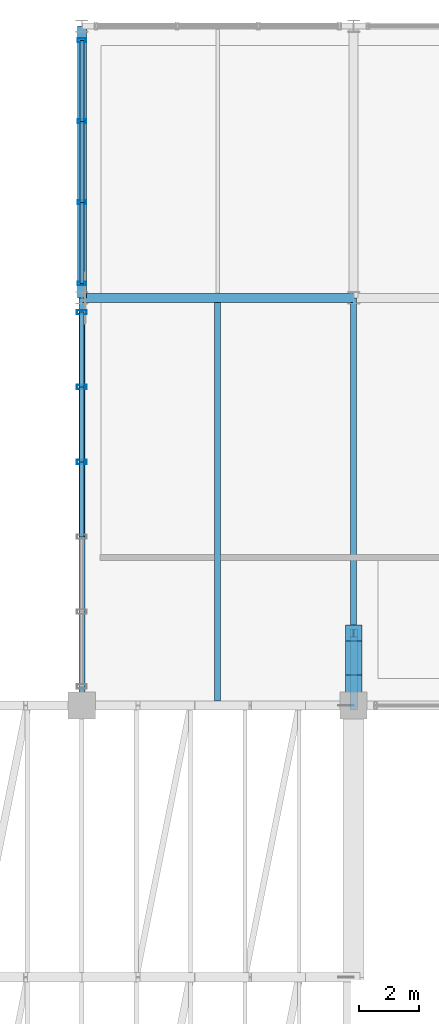
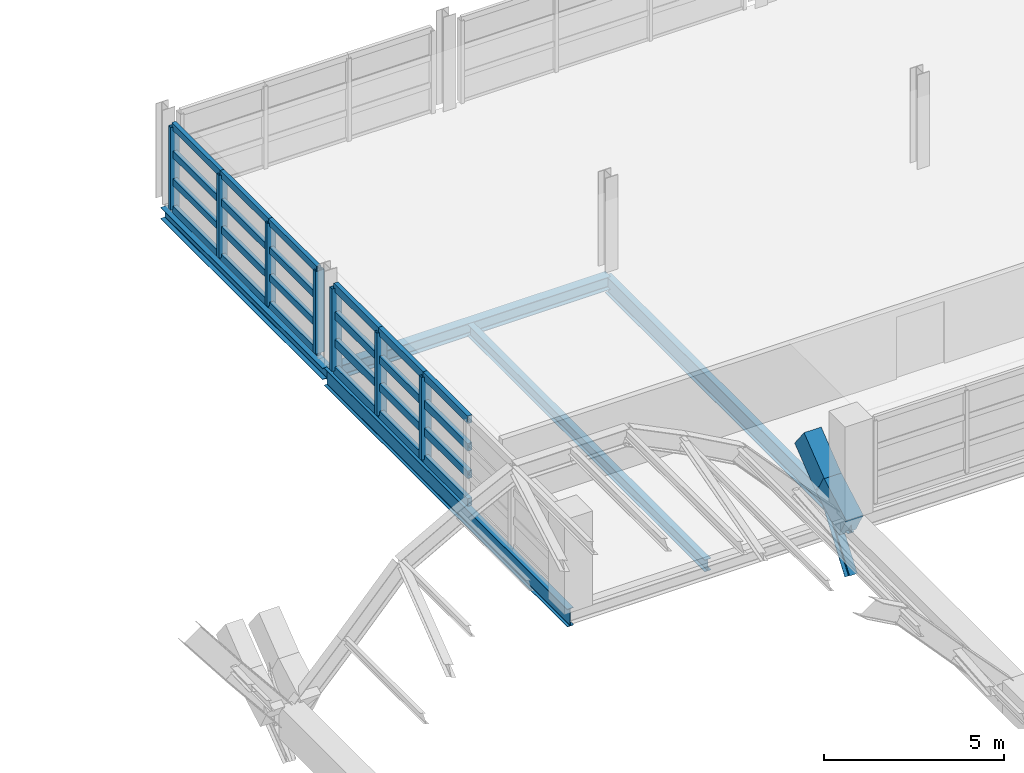
# One storey, part 29 of 86: 32 members, 7 beams, 2 elements without a shape of their own.
"""IFC4 building model written with IfcOpenShell, lengths in metres."""

from ifc_helpers import new_model, si_unit, direction, frame, origin, origin_2d, place, context, subcontext, project, spatial, rectangle, hollow_rectangle, i_section, extrude, material, material_profile, profile_set, type_object, element, aggregate, save


model = new_model("IFC4")

# Units and contexts
model_context = context("Model", 3, precision=1e-05, world=origin(), true_north=direction((0.0, 1.0)))
body_context = subcontext(model_context, "Body", "Model", "MODEL_VIEW")
ifc_project = project(units=[si_unit("LENGTHUNIT", "METRE"), si_unit("AREAUNIT", "SQUARE_METRE"), si_unit("VOLUMEUNIT", "CUBIC_METRE"), si_unit("PLANEANGLEUNIT", "RADIAN"), si_unit("MASSUNIT", "GRAM", prefix="KILO")], contexts=[model_context])

# Site, building, storey
site_placement = place(None, origin())
site = spatial("IfcSite", under=ifc_project, at=site_placement, CompositionType="ELEMENT")
building_placement = place(site_placement, origin())
building = spatial("IfcBuilding", under=site, at=building_placement, Name="Chuanluo Vaults Station", CompositionType="ELEMENT")
storey_placement = place(building_placement, frame((0.0, 0.0, 14.39990234375)))
storey = spatial("IfcBuildingStorey", under=building, at=storey_placement, Name="L03", CompositionType="ELEMENT", Elevation=14.39990234375)

# Beams
ifc_material_1 = material(Name="Concrete C50", Category="concrete")
ifc_material_profile_1 = material_profile(ifc_material_1, rectangle(XDim=0.550048828125, YDim=0.85009765625, at=origin_2d()))
ifc_profile_set_1 = profile_set([ifc_material_profile_1], Name="Concrete C50")
beam_type_1 = type_object("IfcBeamType", Name="BM-CUSP-RC2", PredefinedType="USERDEFINED", material=ifc_profile_set_1)
beam_1_placement = place(storey_placement, frame((126.0, 103.5, -0.5498046875), z_axis=(0.0, 0.872520545396, 0.488577422588), x_axis=(-1.0, 0.0, 0.0)))
element("IfcBeam", 1, at=beam_1_placement, inside=storey, type_object=beam_type_1, Name="Vault V7 upturned cusp rib N-E chord 1", ObjectType="GIRDER", PredefinedType="USERDEFINED", context=body_context, shape_type="SweptSolid", body=[
    extrude(rectangle(XDim=0.550048828125, YDim=0.85009765625, at=origin_2d()), origin(), (0.0, 0.0, 1.0), 1.4326171875),
])
beam_2_placement = place(storey_placement, frame((126.0, 104.75, 0.150146484375), z_axis=(0.0, 0.787512057463, 0.61629924497), x_axis=(-1.0, 0.0, 0.0)))
element("IfcBeam", 2, at=beam_2_placement, inside=storey, type_object=beam_type_1, Name="Vault V7 upturned cusp rib N-E chord 2", ObjectType="GIRDER", PredefinedType="USERDEFINED", context=body_context, shape_type="SweptSolid", body=[
    extrude(rectangle(XDim=0.550048828125, YDim=0.85009765625, at=origin_2d()), origin(), (0.0, 0.0, 1.0), 1.460205078125),
])
ifc_material_2 = material(Name="Steel Q355C", Category="steel")
ifc_material_profile_2 = material_profile(ifc_material_2, i_section(OverallWidth=0.300048828125, OverallDepth=0.389892578125, WebThickness=0.010009765625, FlangeThickness=0.01611328125, FilletRadius=0.02001953125, at=origin_2d()))
ifc_profile_set_2 = profile_set([ifc_material_profile_2], Name="Steel Q355C")
beam_type_2 = type_object("IfcBeamType", Name="BM-GRD-400", PredefinedType="BEAM", material=ifc_profile_set_2)
beam_3_placement = place(storey_placement, frame((117.0, 117.0, -0.414794921875), z_axis=(0.0, 1.0, 0.0), x_axis=(-1.0, 0.0, 0.0)))
element("IfcBeam", 3, at=beam_3_placement, inside=storey, type_object=beam_type_2, Name="Floor girder BM:GY:L03:0777", PredefinedType="BEAM", context=body_context, shape_type="SweptSolid", body=[
    extrude(i_section(OverallWidth=0.300048828125, OverallDepth=0.389892578125, WebThickness=0.010009765625, FlangeThickness=0.01611328125, FilletRadius=0.02001953125, at=origin_2d()), origin(), (0.0, 0.0, 1.0), 9.0),
])
ifc_material_3 = material(Name="Steel Q355C", Category="steel")
ifc_material_profile_3 = material_profile(ifc_material_3, i_section(OverallWidth=0.300048828125, OverallDepth=0.43994140625, WebThickness=0.010986328125, FlangeThickness=0.01806640625, FilletRadius=0.02001953125, at=origin_2d()))
ifc_profile_set_3 = profile_set([ifc_material_profile_3], Name="Steel Q355C")
beam_type_3 = type_object("IfcBeamType", Name="BM-GRD-450", PredefinedType="USERDEFINED", material=ifc_profile_set_3)
beam_4_placement = place(storey_placement, frame((117.0, 117.0, -0.43994140625), z_axis=(1.0, 0.0, 0.0), x_axis=(0.0, 1.0, 0.0)))
element("IfcBeam", 4, at=beam_4_placement, inside=storey, type_object=beam_type_3, Name="Floor girder BM:GX:L03:0761", ObjectType="GIRDER", PredefinedType="USERDEFINED", context=body_context, shape_type="SweptSolid", body=[
    extrude(i_section(OverallWidth=0.300048828125, OverallDepth=0.43994140625, WebThickness=0.010986328125, FlangeThickness=0.01806640625, FilletRadius=0.02001953125, at=origin_2d()), origin(), (0.0, 0.0, 1.0), 9.0),
])
ifc_material_4 = material(Name="Steel Q355C", Category="steel")
ifc_material_profile_4 = material_profile(ifc_material_4, i_section(OverallWidth=0.199951171875, OverallDepth=0.60009765625, WebThickness=0.010986328125, FlangeThickness=0.01708984375, FilletRadius=0.01806640625, at=origin_2d()))
ifc_profile_set_4 = profile_set([ifc_material_profile_4], Name="Steel Q355C")
beam_type_4 = type_object("IfcBeamType", Name="BM-GRD-600", PredefinedType="USERDEFINED", material=ifc_profile_set_4)
for number, where, z_axis, x_axis, name in (
    (5, (117.0, 103.5, -0.52001953125), (0.0, 1.0, 0.0), (-1.0, 0.0, 0.0), "Floor girder BM:GY:L03:0776"),
    (6, (126.0, 103.5, -0.52001953125), (0.0, 1.0, 0.0), (-1.0, 0.0, 0.0), "Floor girder BM:GY:L03:0778"),
):
    element("IfcBeam", number, at=place(storey_placement, frame(where, z_axis=z_axis, x_axis=x_axis)), inside=storey, type_object=beam_type_4, Name=name, ObjectType="GIRDER", PredefinedType="USERDEFINED", context=body_context, shape_type="SweptSolid", body=[
        extrude(i_section(OverallWidth=0.199951171875, OverallDepth=0.60009765625, WebThickness=0.010986328125, FlangeThickness=0.01708984375, FilletRadius=0.01806640625, at=origin_2d()), origin(), (0.0, 0.0, 1.0), 13.5),
    ])
ifc_material_5 = material(Name="Steel Q355C", Category="steel")
ifc_material_profile_5 = material_profile(ifc_material_5, i_section(OverallWidth=0.199951171875, OverallDepth=0.39990234375, WebThickness=0.008056640625, FlangeThickness=0.012939453125, FilletRadius=0.01611328125, at=origin_2d()))
ifc_profile_set_5 = profile_set([ifc_material_profile_5], Name="Steel Q355C")
beam_type_5 = type_object("IfcBeamType", Name="BM-SEC-400", PredefinedType="BEAM", material=ifc_profile_set_5)
beam_5_placement = place(storey_placement, frame((121.5, 103.655029296875, -0.419921875), z_axis=(0.0, 1.0, 0.0), x_axis=(-1.0, 0.0, 0.0)))
element("IfcBeam", 7, at=beam_5_placement, inside=storey, type_object=beam_type_5, Name="Composite secondary joist 0228", PredefinedType="BEAM", context=body_context, shape_type="SweptSolid", body=[
    extrude(i_section(OverallWidth=0.199951171875, OverallDepth=0.39990234375, WebThickness=0.008056640625, FlangeThickness=0.012939453125, FilletRadius=0.01611328125, at=origin_2d()), origin(), (0.0, 0.0, 1.0), 13.18994140625),
])

# Curtain wall, members
ifc_material_6 = material(Name="Anodised aluminium 6063-T6", Category="aluminium")
curtain_wall_type_1 = type_object("IfcCurtainWallType", Name="CW-SYS-02", PredefinedType="NOTDEFINED", material=ifc_material_6)
curtain_wall_1_placement = place(storey_placement, origin())
curtain_wall_1 = element("IfcCurtainWall", 8, at=curtain_wall_1_placement, inside=storey, type_object=curtain_wall_type_1, Name="Operations L03 facade CW", PredefinedType="NOTDEFINED")
ifc_material_7 = material(Name="Anodised aluminium 6063-T6", Category="aluminium")
ifc_material_profile_6 = material_profile(ifc_material_7, hollow_rectangle(XDim=0.1298828125, YDim=0.280029296875, WallThickness=0.007080078125, at=origin_2d()))
ifc_profile_set_6 = profile_set([ifc_material_profile_6], Name="Anodised aluminium 6063-T6")
member_type_1 = type_object("IfcMemberType", Name="CWM-180", PredefinedType="MULLION", material=ifc_profile_set_6)
member_1_placement = place(storey_placement, frame((117.0, 117.47509765625, 0.0), z_axis=(0.0, 0.0, 1.0), x_axis=(0.0, 1.0, 0.0)))
member_1 = element("IfcMember", 9, at=member_1_placement, type_object=member_type_1, Name="Operations L03 facade CW mullion 1", PredefinedType="MULLION", context=body_context, shape_type="SweptSolid", body=[
    extrude(hollow_rectangle(XDim=0.1298828125, YDim=0.280029296875, WallThickness=0.007080078125, at=origin_2d()), origin(), (0.0, 0.0, 1.0), 2.800048828125),
])
member_2_placement = place(storey_placement, frame((117.0, 120.158203125, 0.0), z_axis=(0.0, 0.0, 1.0), x_axis=(0.0, 1.0, 0.0)))
member_2 = element("IfcMember", 10, at=member_2_placement, type_object=member_type_1, Name="Operations L03 facade CW mullion 2", PredefinedType="MULLION", context=body_context, shape_type="SweptSolid", body=[
    extrude(hollow_rectangle(XDim=0.1298828125, YDim=0.280029296875, WallThickness=0.007080078125, at=origin_2d()), origin(), (0.0, 0.0, 1.0), 2.800048828125),
])
member_3_placement = place(storey_placement, frame((117.0, 122.841796875, 0.0), z_axis=(0.0, 0.0, 1.0), x_axis=(0.0, 1.0, 0.0)))
member_3 = element("IfcMember", 11, at=member_3_placement, type_object=member_type_1, Name="Operations L03 facade CW mullion 3", PredefinedType="MULLION", context=body_context, shape_type="SweptSolid", body=[
    extrude(hollow_rectangle(XDim=0.1298828125, YDim=0.280029296875, WallThickness=0.007080078125, at=origin_2d()), origin(), (0.0, 0.0, 1.0), 2.800048828125),
])
member_4_placement = place(storey_placement, frame((117.0, 125.52490234375, 0.0), z_axis=(0.0, 0.0, 1.0), x_axis=(0.0, 1.0, 0.0)))
member_4 = element("IfcMember", 12, at=member_4_placement, type_object=member_type_1, Name="Operations L03 facade CW mullion 4", PredefinedType="MULLION", context=body_context, shape_type="SweptSolid", body=[
    extrude(hollow_rectangle(XDim=0.1298828125, YDim=0.280029296875, WallThickness=0.007080078125, at=origin_2d()), origin(), (0.0, 0.0, 1.0), 2.800048828125),
])

ifc_material_8 = material(Name="Anodised aluminium 6063-T6", Category="aluminium")
curtain_wall_type_2 = type_object("IfcCurtainWallType", Name="CW-SYS-01", PredefinedType="NOTDEFINED", material=ifc_material_8)
curtain_wall_2_placement = place(storey_placement, origin())
curtain_wall_2 = element("IfcCurtainWall", 13, at=curtain_wall_2_placement, inside=storey, type_object=curtain_wall_type_2, Name="Operations L03 facade CW", PredefinedType="NOTDEFINED")
ifc_material_9 = material(Name="Anodised aluminium 6063-T6", Category="aluminium")
ifc_material_profile_7 = material_profile(ifc_material_9, hollow_rectangle(XDim=0.139892578125, YDim=0.320068359375, WallThickness=0.008056640625, at=origin_2d()))
ifc_profile_set_7 = profile_set([ifc_material_profile_7], Name="Anodised aluminium 6063-T6")
member_type_2 = type_object("IfcMemberType", Name="CWM-220", PredefinedType="MULLION", material=ifc_profile_set_7)
member_5_placement = place(storey_placement, frame((117.0, 111.56494140625, 0.0), z_axis=(0.0, 0.0, 1.0), x_axis=(0.0, 1.0, 0.0)))
member_5 = element("IfcMember", 14, at=member_5_placement, type_object=member_type_2, Name="Operations L03 facade CW mullion 4", PredefinedType="MULLION", context=body_context, shape_type="SweptSolid", body=[
    extrude(hollow_rectangle(XDim=0.139892578125, YDim=0.320068359375, WallThickness=0.008056640625, at=origin_2d()), origin(), (0.0, 0.0, 1.0), 2.800048828125),
])
member_6_placement = place(storey_placement, frame((117.0, 114.044921875, 0.0), z_axis=(0.0, 0.0, 1.0), x_axis=(0.0, 1.0, 0.0)))
member_6 = element("IfcMember", 15, at=member_6_placement, type_object=member_type_2, Name="Operations L03 facade CW mullion 5", PredefinedType="MULLION", context=body_context, shape_type="SweptSolid", body=[
    extrude(hollow_rectangle(XDim=0.139892578125, YDim=0.320068359375, WallThickness=0.008056640625, at=origin_2d()), origin(), (0.0, 0.0, 1.0), 2.800048828125),
])
member_7_placement = place(storey_placement, frame((117.0, 116.52490234375, 0.0), z_axis=(0.0, 0.0, 1.0), x_axis=(0.0, 1.0, 0.0)))
member_7 = element("IfcMember", 16, at=member_7_placement, type_object=member_type_2, Name="Operations L03 facade CW mullion 6", PredefinedType="MULLION", context=body_context, shape_type="SweptSolid", body=[
    extrude(hollow_rectangle(XDim=0.139892578125, YDim=0.320068359375, WallThickness=0.008056640625, at=origin_2d()), origin(), (0.0, 0.0, 1.0), 2.800048828125),
])

# Member
ifc_material_10 = material(Name="Anodised aluminium 6063-T6", Category="aluminium")
ifc_material_profile_8 = material_profile(ifc_material_10, hollow_rectangle(XDim=0.1298828125, YDim=0.22998046875, WallThickness=0.006103515625, at=origin_2d()))
ifc_profile_set_8 = profile_set([ifc_material_profile_8], Name="Anodised aluminium 6063-T6")
member_type_3 = type_object("IfcMemberType", Name="CWT-150", PredefinedType="USERDEFINED", material=ifc_profile_set_8)
member_8_placement = place(storey_placement, frame((117.0, 117.47509765625, 0.0), z_axis=(0.0, 1.0, 0.0), x_axis=(-1.0, 0.0, 0.0)))
member_8 = element("IfcMember", 17, at=member_8_placement, type_object=member_type_3, Name="Operations L03 facade CW transom 1.1", ObjectType="TRANSOM", PredefinedType="USERDEFINED", context=body_context, shape_type="SweptSolid", body=[
    extrude(hollow_rectangle(XDim=0.1298828125, YDim=0.22998046875, WallThickness=0.006103515625, at=origin_2d()), origin(), (0.0, 0.0, 1.0), 2.68310546875),
])

member_9_placement = place(storey_placement, frame((117.0, 117.47509765625, 0.933349609375), z_axis=(0.0, 1.0, 0.0), x_axis=(-1.0, 0.0, 0.0)))
member_9 = element("IfcMember", 18, at=member_9_placement, type_object=member_type_3, Name="Operations L03 facade CW transom 1.2", ObjectType="TRANSOM", PredefinedType="USERDEFINED", context=body_context, shape_type="SweptSolid", body=[
    extrude(hollow_rectangle(XDim=0.1298828125, YDim=0.22998046875, WallThickness=0.006103515625, at=origin_2d()), origin(), (0.0, 0.0, 1.0), 2.68310546875),
])

member_10_placement = place(storey_placement, frame((117.0, 117.47509765625, 1.86669921875), z_axis=(0.0, 1.0, 0.0), x_axis=(-1.0, 0.0, 0.0)))
member_10 = element("IfcMember", 19, at=member_10_placement, type_object=member_type_3, Name="Operations L03 facade CW transom 1.3", ObjectType="TRANSOM", PredefinedType="USERDEFINED", context=body_context, shape_type="SweptSolid", body=[
    extrude(hollow_rectangle(XDim=0.1298828125, YDim=0.22998046875, WallThickness=0.006103515625, at=origin_2d()), origin(), (0.0, 0.0, 1.0), 2.68310546875),
])

member_11_placement = place(storey_placement, frame((117.0, 117.47509765625, 2.800048828125), z_axis=(0.0, 1.0, 0.0), x_axis=(-1.0, 0.0, 0.0)))
member_11 = element("IfcMember", 20, at=member_11_placement, type_object=member_type_3, Name="Operations L03 facade CW transom 1.4", ObjectType="TRANSOM", PredefinedType="USERDEFINED", context=body_context, shape_type="SweptSolid", body=[
    extrude(hollow_rectangle(XDim=0.1298828125, YDim=0.22998046875, WallThickness=0.006103515625, at=origin_2d()), origin(), (0.0, 0.0, 1.0), 2.68310546875),
])

member_12_placement = place(storey_placement, frame((117.0, 120.158203125, 0.0), z_axis=(0.0, 1.0, 0.0), x_axis=(-1.0, 0.0, 0.0)))
member_12 = element("IfcMember", 21, at=member_12_placement, type_object=member_type_3, Name="Operations L03 facade CW transom 2.1", ObjectType="TRANSOM", PredefinedType="USERDEFINED", context=body_context, shape_type="SweptSolid", body=[
    extrude(hollow_rectangle(XDim=0.1298828125, YDim=0.22998046875, WallThickness=0.006103515625, at=origin_2d()), origin(), (0.0, 0.0, 1.0), 2.68359375),
])

member_13_placement = place(storey_placement, frame((117.0, 120.158203125, 0.933349609375), z_axis=(0.0, 1.0, 0.0), x_axis=(-1.0, 0.0, 0.0)))
member_13 = element("IfcMember", 22, at=member_13_placement, type_object=member_type_3, Name="Operations L03 facade CW transom 2.2", ObjectType="TRANSOM", PredefinedType="USERDEFINED", context=body_context, shape_type="SweptSolid", body=[
    extrude(hollow_rectangle(XDim=0.1298828125, YDim=0.22998046875, WallThickness=0.006103515625, at=origin_2d()), origin(), (0.0, 0.0, 1.0), 2.68359375),
])

member_14_placement = place(storey_placement, frame((117.0, 120.158203125, 1.86669921875), z_axis=(0.0, 1.0, 0.0), x_axis=(-1.0, 0.0, 0.0)))
member_14 = element("IfcMember", 23, at=member_14_placement, type_object=member_type_3, Name="Operations L03 facade CW transom 2.3", ObjectType="TRANSOM", PredefinedType="USERDEFINED", context=body_context, shape_type="SweptSolid", body=[
    extrude(hollow_rectangle(XDim=0.1298828125, YDim=0.22998046875, WallThickness=0.006103515625, at=origin_2d()), origin(), (0.0, 0.0, 1.0), 2.68359375),
])

member_15_placement = place(storey_placement, frame((117.0, 120.158203125, 2.800048828125), z_axis=(0.0, 1.0, 0.0), x_axis=(-1.0, 0.0, 0.0)))
member_15 = element("IfcMember", 24, at=member_15_placement, type_object=member_type_3, Name="Operations L03 facade CW transom 2.4", ObjectType="TRANSOM", PredefinedType="USERDEFINED", context=body_context, shape_type="SweptSolid", body=[
    extrude(hollow_rectangle(XDim=0.1298828125, YDim=0.22998046875, WallThickness=0.006103515625, at=origin_2d()), origin(), (0.0, 0.0, 1.0), 2.68359375),
])

member_16_placement = place(storey_placement, frame((117.0, 122.841796875, 0.0), z_axis=(0.0, 1.0, 0.0), x_axis=(-1.0, 0.0, 0.0)))
member_16 = element("IfcMember", 25, at=member_16_placement, type_object=member_type_3, Name="Operations L03 facade CW transom 3.1", ObjectType="TRANSOM", PredefinedType="USERDEFINED", context=body_context, shape_type="SweptSolid", body=[
    extrude(hollow_rectangle(XDim=0.1298828125, YDim=0.22998046875, WallThickness=0.006103515625, at=origin_2d()), origin(), (0.0, 0.0, 1.0), 2.68310546875),
])

member_17_placement = place(storey_placement, frame((117.0, 122.841796875, 0.933349609375), z_axis=(0.0, 1.0, 0.0), x_axis=(-1.0, 0.0, 0.0)))
member_17 = element("IfcMember", 26, at=member_17_placement, type_object=member_type_3, Name="Operations L03 facade CW transom 3.2", ObjectType="TRANSOM", PredefinedType="USERDEFINED", context=body_context, shape_type="SweptSolid", body=[
    extrude(hollow_rectangle(XDim=0.1298828125, YDim=0.22998046875, WallThickness=0.006103515625, at=origin_2d()), origin(), (0.0, 0.0, 1.0), 2.68310546875),
])

member_18_placement = place(storey_placement, frame((117.0, 122.841796875, 1.86669921875), z_axis=(0.0, 1.0, 0.0), x_axis=(-1.0, 0.0, 0.0)))
member_18 = element("IfcMember", 27, at=member_18_placement, type_object=member_type_3, Name="Operations L03 facade CW transom 3.3", ObjectType="TRANSOM", PredefinedType="USERDEFINED", context=body_context, shape_type="SweptSolid", body=[
    extrude(hollow_rectangle(XDim=0.1298828125, YDim=0.22998046875, WallThickness=0.006103515625, at=origin_2d()), origin(), (0.0, 0.0, 1.0), 2.68310546875),
])

member_19_placement = place(storey_placement, frame((117.0, 122.841796875, 2.800048828125), z_axis=(0.0, 1.0, 0.0), x_axis=(-1.0, 0.0, 0.0)))
member_19 = element("IfcMember", 28, at=member_19_placement, type_object=member_type_3, Name="Operations L03 facade CW transom 3.4", ObjectType="TRANSOM", PredefinedType="USERDEFINED", context=body_context, shape_type="SweptSolid", body=[
    extrude(hollow_rectangle(XDim=0.1298828125, YDim=0.22998046875, WallThickness=0.006103515625, at=origin_2d()), origin(), (0.0, 0.0, 1.0), 2.68310546875),
])

aggregate(curtain_wall_1, [member_1, member_2, member_3, member_4, member_8, member_9, member_10, member_11, member_12, member_13, member_14, member_15, member_16, member_17, member_18, member_19])

ifc_material_11 = material(Name="Anodised aluminium 6063-T6", Category="aluminium")
ifc_material_profile_9 = material_profile(ifc_material_11, hollow_rectangle(XDim=0.139892578125, YDim=0.260009765625, WallThickness=0.007080078125, at=origin_2d()))
ifc_profile_set_9 = profile_set([ifc_material_profile_9], Name="Anodised aluminium 6063-T6")
member_type_4 = type_object("IfcMemberType", Name="CWT-180", PredefinedType="USERDEFINED", material=ifc_profile_set_9)
member_20_placement = place(storey_placement, frame((117.0, 109.0849609375, 0.0), z_axis=(0.0, 1.0, 0.0), x_axis=(-1.0, 0.0, 0.0)))
member_20 = element("IfcMember", 29, at=member_20_placement, type_object=member_type_4, Name="Operations L03 facade CW transom 3.1", ObjectType="TRANSOM", PredefinedType="USERDEFINED", context=body_context, shape_type="SweptSolid", body=[
    extrude(hollow_rectangle(XDim=0.139892578125, YDim=0.260009765625, WallThickness=0.007080078125, at=origin_2d()), origin(), (0.0, 0.0, 1.0), 2.47998046875),
])

member_21_placement = place(storey_placement, frame((117.0, 109.0849609375, 0.933349609375), z_axis=(0.0, 1.0, 0.0), x_axis=(-1.0, 0.0, 0.0)))
member_21 = element("IfcMember", 30, at=member_21_placement, type_object=member_type_4, Name="Operations L03 facade CW transom 3.2", ObjectType="TRANSOM", PredefinedType="USERDEFINED", context=body_context, shape_type="SweptSolid", body=[
    extrude(hollow_rectangle(XDim=0.139892578125, YDim=0.260009765625, WallThickness=0.007080078125, at=origin_2d()), origin(), (0.0, 0.0, 1.0), 2.47998046875),
])

member_22_placement = place(storey_placement, frame((117.0, 109.0849609375, 1.86669921875), z_axis=(0.0, 1.0, 0.0), x_axis=(-1.0, 0.0, 0.0)))
member_22 = element("IfcMember", 31, at=member_22_placement, type_object=member_type_4, Name="Operations L03 facade CW transom 3.3", ObjectType="TRANSOM", PredefinedType="USERDEFINED", context=body_context, shape_type="SweptSolid", body=[
    extrude(hollow_rectangle(XDim=0.139892578125, YDim=0.260009765625, WallThickness=0.007080078125, at=origin_2d()), origin(), (0.0, 0.0, 1.0), 2.47998046875),
])

member_23_placement = place(storey_placement, frame((117.0, 109.0849609375, 2.800048828125), z_axis=(0.0, 1.0, 0.0), x_axis=(-1.0, 0.0, 0.0)))
member_23 = element("IfcMember", 32, at=member_23_placement, type_object=member_type_4, Name="Operations L03 facade CW transom 3.4", ObjectType="TRANSOM", PredefinedType="USERDEFINED", context=body_context, shape_type="SweptSolid", body=[
    extrude(hollow_rectangle(XDim=0.139892578125, YDim=0.260009765625, WallThickness=0.007080078125, at=origin_2d()), origin(), (0.0, 0.0, 1.0), 2.47998046875),
])

member_24_placement = place(storey_placement, frame((117.0, 111.56494140625, 0.0), z_axis=(0.0, 1.0, 0.0), x_axis=(-1.0, 0.0, 0.0)))
member_24 = element("IfcMember", 33, at=member_24_placement, type_object=member_type_4, Name="Operations L03 facade CW transom 4.1", ObjectType="TRANSOM", PredefinedType="USERDEFINED", context=body_context, shape_type="SweptSolid", body=[
    extrude(hollow_rectangle(XDim=0.139892578125, YDim=0.260009765625, WallThickness=0.007080078125, at=origin_2d()), origin(), (0.0, 0.0, 1.0), 2.47998046875),
])

member_25_placement = place(storey_placement, frame((117.0, 111.56494140625, 0.933349609375), z_axis=(0.0, 1.0, 0.0), x_axis=(-1.0, 0.0, 0.0)))
member_25 = element("IfcMember", 34, at=member_25_placement, type_object=member_type_4, Name="Operations L03 facade CW transom 4.2", ObjectType="TRANSOM", PredefinedType="USERDEFINED", context=body_context, shape_type="SweptSolid", body=[
    extrude(hollow_rectangle(XDim=0.139892578125, YDim=0.260009765625, WallThickness=0.007080078125, at=origin_2d()), origin(), (0.0, 0.0, 1.0), 2.47998046875),
])

member_26_placement = place(storey_placement, frame((117.0, 111.56494140625, 1.86669921875), z_axis=(0.0, 1.0, 0.0), x_axis=(-1.0, 0.0, 0.0)))
member_26 = element("IfcMember", 35, at=member_26_placement, type_object=member_type_4, Name="Operations L03 facade CW transom 4.3", ObjectType="TRANSOM", PredefinedType="USERDEFINED", context=body_context, shape_type="SweptSolid", body=[
    extrude(hollow_rectangle(XDim=0.139892578125, YDim=0.260009765625, WallThickness=0.007080078125, at=origin_2d()), origin(), (0.0, 0.0, 1.0), 2.47998046875),
])

member_27_placement = place(storey_placement, frame((117.0, 111.56494140625, 2.800048828125), z_axis=(0.0, 1.0, 0.0), x_axis=(-1.0, 0.0, 0.0)))
member_27 = element("IfcMember", 36, at=member_27_placement, type_object=member_type_4, Name="Operations L03 facade CW transom 4.4", ObjectType="TRANSOM", PredefinedType="USERDEFINED", context=body_context, shape_type="SweptSolid", body=[
    extrude(hollow_rectangle(XDim=0.139892578125, YDim=0.260009765625, WallThickness=0.007080078125, at=origin_2d()), origin(), (0.0, 0.0, 1.0), 2.47998046875),
])

member_28_placement = place(storey_placement, frame((117.0, 114.044921875, 0.0), z_axis=(0.0, 1.0, 0.0), x_axis=(-1.0, 0.0, 0.0)))
member_28 = element("IfcMember", 37, at=member_28_placement, type_object=member_type_4, Name="Operations L03 facade CW transom 5.1", ObjectType="TRANSOM", PredefinedType="USERDEFINED", context=body_context, shape_type="SweptSolid", body=[
    extrude(hollow_rectangle(XDim=0.139892578125, YDim=0.260009765625, WallThickness=0.007080078125, at=origin_2d()), origin(), (0.0, 0.0, 1.0), 2.47998046875),
])

member_29_placement = place(storey_placement, frame((117.0, 114.044921875, 0.933349609375), z_axis=(0.0, 1.0, 0.0), x_axis=(-1.0, 0.0, 0.0)))
member_29 = element("IfcMember", 38, at=member_29_placement, type_object=member_type_4, Name="Operations L03 facade CW transom 5.2", ObjectType="TRANSOM", PredefinedType="USERDEFINED", context=body_context, shape_type="SweptSolid", body=[
    extrude(hollow_rectangle(XDim=0.139892578125, YDim=0.260009765625, WallThickness=0.007080078125, at=origin_2d()), origin(), (0.0, 0.0, 1.0), 2.47998046875),
])

member_30_placement = place(storey_placement, frame((117.0, 114.044921875, 1.86669921875), z_axis=(0.0, 1.0, 0.0), x_axis=(-1.0, 0.0, 0.0)))
member_30 = element("IfcMember", 39, at=member_30_placement, type_object=member_type_4, Name="Operations L03 facade CW transom 5.3", ObjectType="TRANSOM", PredefinedType="USERDEFINED", context=body_context, shape_type="SweptSolid", body=[
    extrude(hollow_rectangle(XDim=0.139892578125, YDim=0.260009765625, WallThickness=0.007080078125, at=origin_2d()), origin(), (0.0, 0.0, 1.0), 2.47998046875),
])

member_31_placement = place(storey_placement, frame((117.0, 114.044921875, 2.800048828125), z_axis=(0.0, 1.0, 0.0), x_axis=(-1.0, 0.0, 0.0)))
member_31 = element("IfcMember", 40, at=member_31_placement, type_object=member_type_4, Name="Operations L03 facade CW transom 5.4", ObjectType="TRANSOM", PredefinedType="USERDEFINED", context=body_context, shape_type="SweptSolid", body=[
    extrude(hollow_rectangle(XDim=0.139892578125, YDim=0.260009765625, WallThickness=0.007080078125, at=origin_2d()), origin(), (0.0, 0.0, 1.0), 2.47998046875),
])

aggregate(curtain_wall_2, [member_5, member_6, member_7, member_20, member_21, member_22, member_23, member_24, member_25, member_26, member_27, member_28, member_29, member_30, member_31])

ifc_material_12 = material(Name="Steel Q355C", Category="steel")
ifc_material_profile_10 = material_profile(ifc_material_12, i_section(OverallWidth=0.25, OverallDepth=0.340087890625, WebThickness=0.009033203125, FlangeThickness=0.013916015625, FilletRadius=0.01611328125, at=origin_2d()))
ifc_profile_set_10 = profile_set([ifc_material_profile_10], Name="Steel Q355C")
member_type_5 = type_object("IfcMemberType", Name="MEM-CBR-340", PredefinedType="BRACE", material=ifc_profile_set_10)
member_32_placement = place(storey_placement, frame((126.0, 103.5, -2.25), z_axis=(0.0, 0.588150351935, 0.808751608047), x_axis=(-1.0, 0.0, 0.0)))
element("IfcMember", 41, at=member_32_placement, inside=storey, type_object=member_type_5, Name="Upturned eave cusp raking prop N-X126", PredefinedType="BRACE", context=body_context, shape_type="SweptSolid", body=[
    extrude(i_section(OverallWidth=0.25, OverallDepth=0.340087890625, WebThickness=0.009033203125, FlangeThickness=0.013916015625, FilletRadius=0.01611328125, at=origin_2d()), origin(), (0.0, 0.0, 1.0), 4.080322265625),
])

save(model, "model.ifc")
